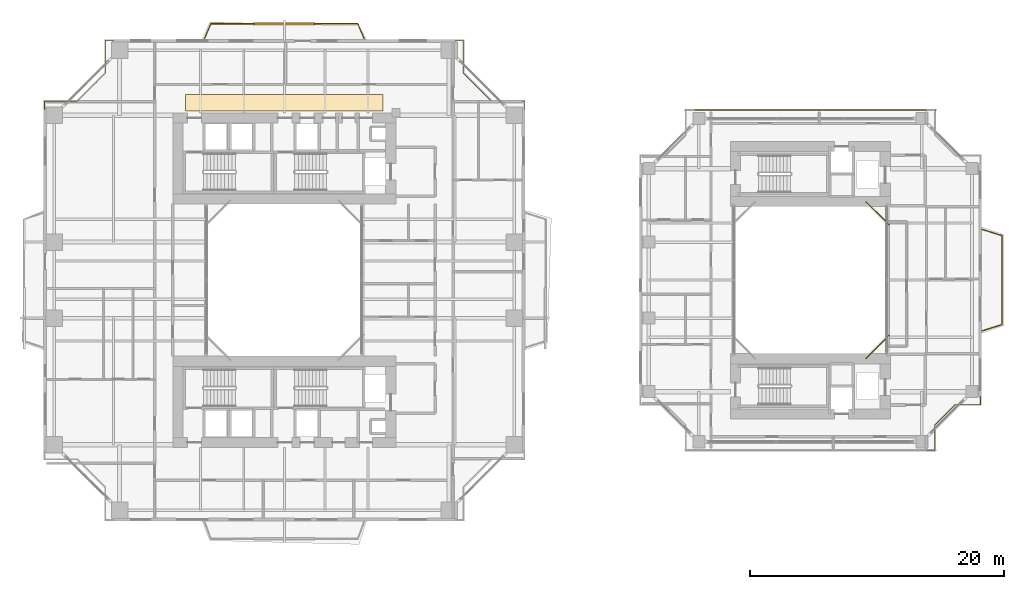
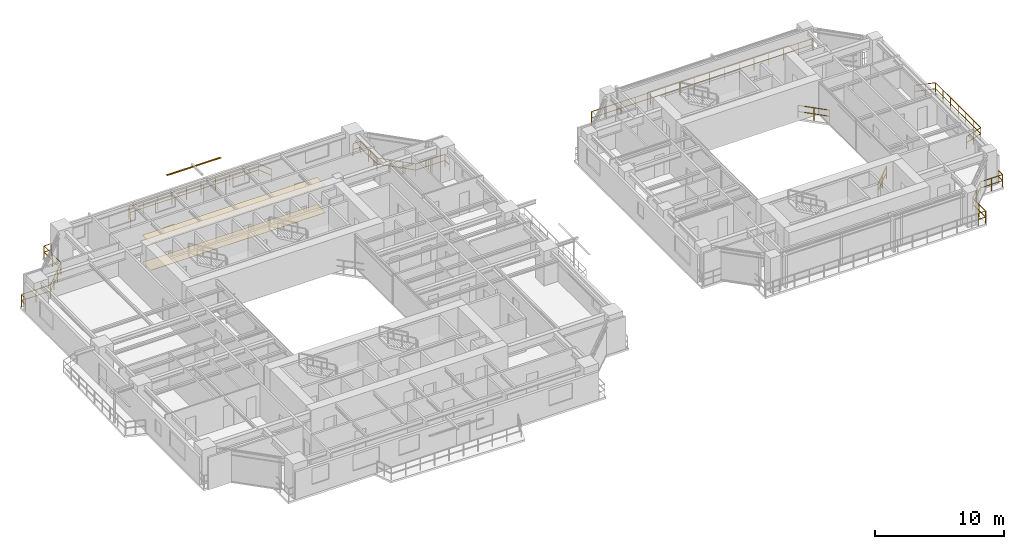
# One storey, part 22 of 23: 8 railings, 2 coverings, 1 shading device.
"""IFC4 building model written with IfcOpenShell, lengths in metres."""

from ifc_helpers import new_model, si_unit, direction, frame, origin, origin_2d, place, context, subcontext, project, spatial, polyline, rectangle, outline, extrude, source, transform, mapped, material, layer, layer_set, material_profile, profile_set, type_object, element, save


model = new_model("IFC4")

# Units and contexts
model_context = context("Model", 3, precision=1e-05, world=origin(), true_north=direction((0.0, 1.0)))
body_context = subcontext(model_context, "Body", "Model", "MODEL_VIEW")
ifc_project = project(units=[si_unit("LENGTHUNIT", "METRE"), si_unit("AREAUNIT", "SQUARE_METRE"), si_unit("VOLUMEUNIT", "CUBIC_METRE"), si_unit("PLANEANGLEUNIT", "RADIAN"), si_unit("MASSUNIT", "GRAM", prefix="KILO"), si_unit("THERMODYNAMICTEMPERATUREUNIT", "KELVIN"), si_unit("POWERUNIT", "WATT")], contexts=[model_context])

# Site, building, storey
site_placement = place(None, origin())
site = spatial("IfcSite", under=ifc_project, at=site_placement, CompositionType="ELEMENT")
building_placement = place(site_placement, origin())
building = spatial("IfcBuilding", under=site, at=building_placement, Name="Qiaomeng Ring Towers", CompositionType="ELEMENT")
storey_placement = place(building_placement, frame((0.0, 0.0, 29.5)))
storey = spatial("IfcBuildingStorey", under=building, at=storey_placement, Name="L07", CompositionType="ELEMENT", Elevation=29.5)

# Coverings
ifc_material_1 = material(Name="Moisture-resistant gypsum ceiling board", Category="gypsum")
ifc_layer_1 = layer(ifc_material_1, 0.030029296875, Name="Moisture-resistant gypsum ceiling board")
ifc_layer_set_1 = layer_set([ifc_layer_1], Name="Moisture-resistant gypsum ceiling board")
covering_type_1 = type_object("IfcCoveringType", Name="ARC-COV-CEIL2", PredefinedType="CEILING", material=ifc_layer_set_1)
covering_1_placement = place(storey_placement, frame((0.0, 0.0, 2.550048828125)))
element("IfcCovering", 1, at=covering_1_placement, inside=storey, type_object=covering_type_1, Name="L07 Corridor Acoustic Ceiling", PredefinedType="CEILING", context=body_context, shape_type="SweptSolid", body=[
    extrude(outline(polyline([(11.199951171875, 36.35009765625), (11.199951171875, 37.64990234375), (26.800048828125, 37.64990234375), (26.800048828125, 36.35009765625), (11.199951171875, 36.35009765625)])), origin(), (0.0, 0.0, 1.0), 0.02490234375),
])
ifc_material_2 = material(Name="Vitrified porcelain floor tile", Category="ceramic")
ifc_layer_2 = layer(ifc_material_2, 0.02001953125, Name="Vitrified porcelain floor tile")
ifc_layer_set_2 = layer_set([ifc_layer_2], Name="Vitrified porcelain floor tile")
covering_type_2 = type_object("IfcCoveringType", Name="ARC-COV-FLR1", PredefinedType="FLOORING", material=ifc_layer_set_2)
covering_2_placement = place(storey_placement, origin())
element("IfcCovering", 2, at=covering_2_placement, inside=storey, type_object=covering_type_2, Name="L07 Corridor Stone Flooring", PredefinedType="FLOORING", context=body_context, shape_type="SweptSolid", body=[
    extrude(outline(polyline([(11.199951171875, 36.35009765625), (11.199951171875, 37.64990234375), (26.800048828125, 37.64990234375), (26.800048828125, 36.35009765625), (11.199951171875, 36.35009765625)])), origin(), (0.0, 0.0, 1.0), 0.02001953125),
])

# Railings
ifc_material_3 = material(Name="Low-E pale-green laminated safety glass", Category="glass")
railing_type = type_object("IfcRailingType", Name="ARC-RL-BAL1", PredefinedType="BALUSTRADE", material=ifc_material_3)
railing_1_placement = place(storey_placement, frame((37.919921875, 36.469970703125, 0.0)))
element("IfcRailing", 3, at=railing_1_placement, inside=storey, type_object=railing_type, Name="L07 Balustrade ARC-BAL-NOTCH1-L07-NE", PredefinedType="BALUSTRADE", context=body_context, shape_type="SweptSolid", body=[
    extrude(rectangle(XDim=0.048095703125, YDim=0.048095703125, at=origin_2d()), frame((0.0, 0.0, 1.17578125), z_axis=(0.0, 1.0, 0.0), x_axis=(-1.0, 0.0, 0.0)), (0.0, 0.0, 1.0), 0.650146484375),
    extrude(rectangle(XDim=0.048095703125, YDim=0.048095703125, at=origin_2d()), frame((0.0, 0.0, 0.60009765625), z_axis=(0.0, 1.0, 0.0), x_axis=(-1.0, 0.0, 0.0)), (0.0, 0.0, 1.0), 0.650146484375),
    extrude(rectangle(XDim=0.048095703125, YDim=0.048095703125, at=origin_2d()), frame((0.0, 0.650146484375, 1.17578125), z_axis=(-1.0, 0.0, 0.0), x_axis=(0.0, -1.0, 0.0)), (0.0, 0.0, 1.0), 2.599853515625),
    extrude(rectangle(XDim=0.048095703125, YDim=0.048095703125, at=origin_2d()), frame((0.0, 0.650146484375, 0.60009765625), z_axis=(-1.0, 0.0, 0.0), x_axis=(0.0, -1.0, 0.0)), (0.0, 0.0, 1.0), 2.599853515625),
    extrude(rectangle(XDim=0.048095703125, YDim=0.048095703125, at=origin_2d()), frame((-2.599853515625, 0.650146484375, 1.17578125), z_axis=(-0.707106781187, 0.707106781187, 0.0), x_axis=(-0.707106781187, -0.707106781187, 0.0)), (0.0, 0.0, 1.0), 3.111083984375),
    extrude(rectangle(XDim=0.048095703125, YDim=0.048095703125, at=origin_2d()), frame((-2.599853515625, 0.650146484375, 0.60009765625), z_axis=(-0.707106781187, 0.707106781187, 0.0), x_axis=(-0.707106781187, -0.707106781187, 0.0)), (0.0, 0.0, 1.0), 3.111083984375),
    extrude(rectangle(XDim=0.048095703125, YDim=0.048095703125, at=origin_2d()), frame((-4.7998046875, 2.85009765625, 1.17578125), z_axis=(0.0, 1.0, 0.0), x_axis=(-1.0, 0.0, 0.0)), (0.0, 0.0, 1.0), 2.599853515625),
    extrude(rectangle(XDim=0.048095703125, YDim=0.048095703125, at=origin_2d()), frame((-4.7998046875, 2.85009765625, 0.60009765625), z_axis=(0.0, 1.0, 0.0), x_axis=(-1.0, 0.0, 0.0)), (0.0, 0.0, 1.0), 2.599853515625),
    extrude(rectangle(XDim=0.048095703125, YDim=0.048095703125, at=origin_2d()), frame((-4.7998046875, 5.449951171875, 1.17578125), z_axis=(-1.0, 0.0, 0.0), x_axis=(0.0, -1.0, 0.0)), (0.0, 0.0, 1.0), 0.650146484375),
    extrude(rectangle(XDim=0.048095703125, YDim=0.048095703125, at=origin_2d()), frame((-4.7998046875, 5.449951171875, 0.60009765625), z_axis=(-1.0, 0.0, 0.0), x_axis=(0.0, -1.0, 0.0)), (0.0, 0.0, 1.0), 0.650146484375),
    extrude(rectangle(XDim=0.0419921875, YDim=0.0419921875, at=origin_2d()), origin(), (0.0, 0.0, 1.0), 1.15185546875),
    extrude(rectangle(XDim=0.0419921875, YDim=0.0419921875, at=origin_2d()), frame((0.0, 0.650146484375, 0.0)), (0.0, 0.0, 1.0), 1.15185546875),
    extrude(rectangle(XDim=0.0419921875, YDim=0.0419921875, at=origin_2d()), frame((-1.2998046875, 0.650146484375, 0.0)), (0.0, 0.0, 1.0), 1.15185546875),
    extrude(rectangle(XDim=0.0419921875, YDim=0.0419921875, at=origin_2d()), frame((-2.599853515625, 0.650146484375, 0.0)), (0.0, 0.0, 1.0), 1.15185546875),
    extrude(rectangle(XDim=0.0419921875, YDim=0.0419921875, at=origin_2d()), frame((-3.333251953125, 1.383544921875, 0.0)), (0.0, 0.0, 1.0), 1.15185546875),
    extrude(rectangle(XDim=0.0419921875, YDim=0.0419921875, at=origin_2d()), frame((-4.06640625, 2.11669921875, 0.0)), (0.0, 0.0, 1.0), 1.15185546875),
    extrude(rectangle(XDim=0.0419921875, YDim=0.0419921875, at=origin_2d()), frame((-4.7998046875, 2.85009765625, 0.0)), (0.0, 0.0, 1.0), 1.15185546875),
    extrude(rectangle(XDim=0.0419921875, YDim=0.0419921875, at=origin_2d()), frame((-4.7998046875, 4.14990234375, 0.0)), (0.0, 0.0, 1.0), 1.15185546875),
    extrude(rectangle(XDim=0.0419921875, YDim=0.0419921875, at=origin_2d()), frame((-4.7998046875, 5.449951171875, 0.0)), (0.0, 0.0, 1.0), 1.15185546875),
    extrude(rectangle(XDim=0.0419921875, YDim=0.0419921875, at=origin_2d()), frame((-5.449951171875, 5.449951171875, 0.0)), (0.0, 0.0, 1.0), 1.15185546875),
])
railing_2_placement = place(storey_placement, frame((5.530029296875, 41.919921875, 0.0)))
element("IfcRailing", 4, at=railing_2_placement, inside=storey, type_object=railing_type, Name="L07 Balustrade ARC-BAL-NOTCH1-L07-NW", PredefinedType="BALUSTRADE", context=body_context, shape_type="SweptSolid", body=[
    extrude(rectangle(XDim=0.048095703125, YDim=0.048095703125, at=origin_2d()), frame((0.0, 0.0, 1.17578125), z_axis=(-1.0, 0.0, 0.0), x_axis=(0.0, -1.0, 0.0)), (0.0, 0.0, 1.0), 0.650146484375),
    extrude(rectangle(XDim=0.048095703125, YDim=0.048095703125, at=origin_2d()), frame((0.0, 0.0, 0.60009765625), z_axis=(-1.0, 0.0, 0.0), x_axis=(0.0, -1.0, 0.0)), (0.0, 0.0, 1.0), 0.650146484375),
    extrude(rectangle(XDim=0.048095703125, YDim=0.048095703125, at=origin_2d()), frame((-0.650146484375, 0.0, 1.17578125), z_axis=(0.0, -1.0, 0.0), x_axis=(1.0, 0.0, 0.0)), (0.0, 0.0, 1.0), 2.599853515625),
    extrude(rectangle(XDim=0.048095703125, YDim=0.048095703125, at=origin_2d()), frame((-0.650146484375, 0.0, 0.60009765625), z_axis=(0.0, -1.0, 0.0), x_axis=(1.0, 0.0, 0.0)), (0.0, 0.0, 1.0), 2.599853515625),
    extrude(rectangle(XDim=0.048095703125, YDim=0.048095703125, at=origin_2d()), frame((-0.650146484375, -2.599853515625, 1.17578125), z_axis=(-0.707106781187, -0.707106781187, 0.0), x_axis=(0.707106781187, -0.707106781187, 0.0)), (0.0, 0.0, 1.0), 3.111083984375),
    extrude(rectangle(XDim=0.048095703125, YDim=0.048095703125, at=origin_2d()), frame((-0.650146484375, -2.599853515625, 0.60009765625), z_axis=(-0.707106781187, -0.707106781187, 0.0), x_axis=(0.707106781187, -0.707106781187, 0.0)), (0.0, 0.0, 1.0), 3.111083984375),
    extrude(rectangle(XDim=0.048095703125, YDim=0.048095703125, at=origin_2d()), frame((-2.85009765625, -4.7998046875, 1.17578125), z_axis=(-1.0, 0.0, 0.0), x_axis=(0.0, -1.0, 0.0)), (0.0, 0.0, 1.0), 2.599853515625),
    extrude(rectangle(XDim=0.048095703125, YDim=0.048095703125, at=origin_2d()), frame((-2.85009765625, -4.7998046875, 0.60009765625), z_axis=(-1.0, 0.0, 0.0), x_axis=(0.0, -1.0, 0.0)), (0.0, 0.0, 1.0), 2.599853515625),
    extrude(rectangle(XDim=0.048095703125, YDim=0.048095703125, at=origin_2d()), frame((-5.449951171875, -4.7998046875, 1.17578125), z_axis=(0.0, -1.0, 0.0), x_axis=(1.0, 0.0, 0.0)), (0.0, 0.0, 1.0), 0.650146484375),
    extrude(rectangle(XDim=0.048095703125, YDim=0.048095703125, at=origin_2d()), frame((-5.449951171875, -4.7998046875, 0.60009765625), z_axis=(0.0, -1.0, 0.0), x_axis=(1.0, 0.0, 0.0)), (0.0, 0.0, 1.0), 0.650146484375),
    extrude(rectangle(XDim=0.0419921875, YDim=0.0419921875, at=origin_2d()), origin(), (0.0, 0.0, 1.0), 1.15185546875),
    extrude(rectangle(XDim=0.0419921875, YDim=0.0419921875, at=origin_2d()), frame((-0.650146484375, 0.0, 0.0)), (0.0, 0.0, 1.0), 1.15185546875),
    extrude(rectangle(XDim=0.0419921875, YDim=0.0419921875, at=origin_2d()), frame((-0.650146484375, -1.2998046875, 0.0)), (0.0, 0.0, 1.0), 1.15185546875),
    extrude(rectangle(XDim=0.0419921875, YDim=0.0419921875, at=origin_2d()), frame((-0.650146484375, -2.599853515625, 0.0)), (0.0, 0.0, 1.0), 1.15185546875),
    extrude(rectangle(XDim=0.0419921875, YDim=0.0419921875, at=origin_2d()), frame((-1.383544921875, -3.333251953125, 0.0)), (0.0, 0.0, 1.0), 1.15185546875),
    extrude(rectangle(XDim=0.0419921875, YDim=0.0419921875, at=origin_2d()), frame((-2.11669921875, -4.06640625, 0.0)), (0.0, 0.0, 1.0), 1.15185546875),
    extrude(rectangle(XDim=0.0419921875, YDim=0.0419921875, at=origin_2d()), frame((-2.85009765625, -4.7998046875, 0.0)), (0.0, 0.0, 1.0), 1.15185546875),
    extrude(rectangle(XDim=0.0419921875, YDim=0.0419921875, at=origin_2d()), frame((-4.14990234375, -4.7998046875, 0.0)), (0.0, 0.0, 1.0), 1.15185546875),
    extrude(rectangle(XDim=0.0419921875, YDim=0.0419921875, at=origin_2d()), frame((-5.449951171875, -4.7998046875, 0.0)), (0.0, 0.0, 1.0), 1.15185546875),
    extrude(rectangle(XDim=0.0419921875, YDim=0.0419921875, at=origin_2d()), frame((-5.449951171875, -5.449951171875, 0.0)), (0.0, 0.0, 1.0), 1.15185546875),
])
railing_3_placement = place(storey_placement, frame((12.699951171875, 42.050048828125, 0.0)))
element("IfcRailing", 5, at=railing_3_placement, inside=storey, type_object=railing_type, Name="L07 Balustrade ARC-BAL-L07-T1-N", PredefinedType="BALUSTRADE", context=body_context, shape_type="SweptSolid", body=[
    extrude(rectangle(XDim=0.048095703125, YDim=0.048095703125, at=origin_2d()), frame((0.0, 0.0, 1.17578125), z_axis=(0.39299272826, 0.919541579014, 0.0), x_axis=(-0.919541579014, 0.39299272826, 0.0)), (0.0, 0.0, 1.0), 1.272216796875),
    extrude(rectangle(XDim=0.048095703125, YDim=0.048095703125, at=origin_2d()), frame((0.0, 0.0, 0.60009765625), z_axis=(0.39299272826, 0.919541579014, 0.0), x_axis=(-0.919541579014, 0.39299272826, 0.0)), (0.0, 0.0, 1.0), 1.272216796875),
    extrude(rectangle(XDim=0.048095703125, YDim=0.048095703125, at=origin_2d()), frame((0.5, 1.169921875, 1.17578125), z_axis=(1.0, 0.0, 0.0), x_axis=(0.0, 1.0, 0.0)), (0.0, 0.0, 1.0), 11.60009765625),
    extrude(rectangle(XDim=0.048095703125, YDim=0.048095703125, at=origin_2d()), frame((0.5, 1.169921875, 0.60009765625), z_axis=(1.0, 0.0, 0.0), x_axis=(0.0, 1.0, 0.0)), (0.0, 0.0, 1.0), 11.60009765625),
    extrude(rectangle(XDim=0.048095703125, YDim=0.048095703125, at=origin_2d()), frame((12.10009765625, 1.169921875, 1.17578125), z_axis=(0.39299272826, -0.919541579014, 0.0), x_axis=(0.919541579014, 0.39299272826, 0.0)), (0.0, 0.0, 1.0), 1.272216796875),
    extrude(rectangle(XDim=0.048095703125, YDim=0.048095703125, at=origin_2d()), frame((12.10009765625, 1.169921875, 0.60009765625), z_axis=(0.39299272826, -0.919541579014, 0.0), x_axis=(0.919541579014, 0.39299272826, 0.0)), (0.0, 0.0, 1.0), 1.272216796875),
    extrude(rectangle(XDim=0.0419921875, YDim=0.0419921875, at=origin_2d()), origin(), (0.0, 0.0, 1.0), 1.15185546875),
    extrude(rectangle(XDim=0.0419921875, YDim=0.0419921875, at=origin_2d()), frame((0.5, 1.169921875, 0.0)), (0.0, 0.0, 1.0), 1.15185546875),
    extrude(rectangle(XDim=0.0419921875, YDim=0.0419921875, at=origin_2d()), frame((1.788818359375, 1.169921875, 0.0)), (0.0, 0.0, 1.0), 1.15185546875),
    extrude(rectangle(XDim=0.0419921875, YDim=0.0419921875, at=origin_2d()), frame((3.077880859375, 1.169921875, 0.0)), (0.0, 0.0, 1.0), 1.15185546875),
    extrude(rectangle(XDim=0.0419921875, YDim=0.0419921875, at=origin_2d()), frame((4.36669921875, 1.169921875, 0.0)), (0.0, 0.0, 1.0), 1.15185546875),
    extrude(rectangle(XDim=0.0419921875, YDim=0.0419921875, at=origin_2d()), frame((5.655517578125, 1.169921875, 0.0)), (0.0, 0.0, 1.0), 1.15185546875),
    extrude(rectangle(XDim=0.0419921875, YDim=0.0419921875, at=origin_2d()), frame((6.944580078125, 1.169921875, 0.0)), (0.0, 0.0, 1.0), 1.15185546875),
    extrude(rectangle(XDim=0.0419921875, YDim=0.0419921875, at=origin_2d()), frame((8.2333984375, 1.169921875, 0.0)), (0.0, 0.0, 1.0), 1.15185546875),
    extrude(rectangle(XDim=0.0419921875, YDim=0.0419921875, at=origin_2d()), frame((9.522216796875, 1.169921875, 0.0)), (0.0, 0.0, 1.0), 1.15185546875),
    extrude(rectangle(XDim=0.0419921875, YDim=0.0419921875, at=origin_2d()), frame((10.811279296875, 1.169921875, 0.0)), (0.0, 0.0, 1.0), 1.15185546875),
    extrude(rectangle(XDim=0.0419921875, YDim=0.0419921875, at=origin_2d()), frame((12.10009765625, 1.169921875, 0.0)), (0.0, 0.0, 1.0), 1.15185546875),
    extrude(rectangle(XDim=0.0419921875, YDim=0.0419921875, at=origin_2d()), frame((12.60009765625, 0.0, 0.0)), (0.0, 0.0, 1.0), 1.15185546875),
])
railing_4_placement = place(storey_placement, frame((64.8798828125, 16.820068359375, 0.0)))
element("IfcRailing", 6, at=railing_4_placement, inside=storey, type_object=railing_type, Name="L07 Balustrade ARC-BAL-WELL2-L07-1", PredefinedType="BALUSTRADE", context=body_context, shape_type="SweptSolid", body=[
    extrude(rectangle(XDim=0.048095703125, YDim=0.048095703125, at=origin_2d()), frame((0.0, 0.0, 1.17578125), z_axis=(0.707106781187, 0.707106781187, 0.0), x_axis=(-0.707106781187, 0.707106781187, 0.0)), (0.0, 0.0, 1.0), 2.545654296875),
    extrude(rectangle(XDim=0.048095703125, YDim=0.048095703125, at=origin_2d()), frame((0.0, 0.0, 0.60009765625), z_axis=(0.707106781187, 0.707106781187, 0.0), x_axis=(-0.707106781187, 0.707106781187, 0.0)), (0.0, 0.0, 1.0), 2.545654296875),
    extrude(rectangle(XDim=0.0419921875, YDim=0.0419921875, at=origin_2d()), origin(), (0.0, 0.0, 1.0), 1.15185546875),
    extrude(rectangle(XDim=0.0419921875, YDim=0.0419921875, at=origin_2d()), frame((0.89990234375, 0.89990234375, 0.0)), (0.0, 0.0, 1.0), 1.15185546875),
    extrude(rectangle(XDim=0.0419921875, YDim=0.0419921875, at=origin_2d()), frame((1.800048828125, 1.800048828125, 0.0)), (0.0, 0.0, 1.0), 1.15185546875),
])
railing_5_placement = place(storey_placement, frame((66.679931640625, 27.3798828125, 0.0)))
element("IfcRailing", 7, at=railing_5_placement, inside=storey, type_object=railing_type, Name="L07 Balustrade ARC-BAL-WELL2-L07-2", PredefinedType="BALUSTRADE", context=body_context, shape_type="SweptSolid", body=[
    extrude(rectangle(XDim=0.048095703125, YDim=0.048095703125, at=origin_2d()), frame((0.0, 0.0, 1.17578125), z_axis=(-0.707106781187, 0.707106781187, 0.0), x_axis=(-0.707106781187, -0.707106781187, 0.0)), (0.0, 0.0, 1.0), 2.545654296875),
    extrude(rectangle(XDim=0.048095703125, YDim=0.048095703125, at=origin_2d()), frame((0.0, 0.0, 0.60009765625), z_axis=(-0.707106781187, 0.707106781187, 0.0), x_axis=(-0.707106781187, -0.707106781187, 0.0)), (0.0, 0.0, 1.0), 2.545654296875),
    extrude(rectangle(XDim=0.0419921875, YDim=0.0419921875, at=origin_2d()), origin(), (0.0, 0.0, 1.0), 1.15185546875),
    extrude(rectangle(XDim=0.0419921875, YDim=0.0419921875, at=origin_2d()), frame((-0.89990234375, 0.89990234375, 0.0)), (0.0, 0.0, 1.0), 1.15185546875),
    extrude(rectangle(XDim=0.0419921875, YDim=0.0419921875, at=origin_2d()), frame((-1.800048828125, 1.800048828125, 0.0)), (0.0, 0.0, 1.0), 1.15185546875),
])
railing_6_placement = place(storey_placement, frame((69.669921875, 9.580078125, 0.0)))
element("IfcRailing", 8, at=railing_6_placement, inside=storey, type_object=railing_type, Name="L07 Balustrade ARC-BAL-NOTCH2-L07-SE", PredefinedType="BALUSTRADE", context=body_context, shape_type="SweptSolid", body=[
    extrude(rectangle(XDim=0.048095703125, YDim=0.048095703125, at=origin_2d()), frame((0.0, 0.0, 1.17578125), z_axis=(1.0, 0.0, 0.0), x_axis=(0.0, 1.0, 0.0)), (0.0, 0.0, 1.0), 0.650146484375),
    extrude(rectangle(XDim=0.048095703125, YDim=0.048095703125, at=origin_2d()), frame((0.0, 0.0, 0.60009765625), z_axis=(1.0, 0.0, 0.0), x_axis=(0.0, 1.0, 0.0)), (0.0, 0.0, 1.0), 0.650146484375),
    extrude(rectangle(XDim=0.048095703125, YDim=0.048095703125, at=origin_2d()), frame((0.650146484375, 0.0, 1.17578125), z_axis=(0.0, 1.0, 0.0), x_axis=(-1.0, 0.0, 0.0)), (0.0, 0.0, 1.0), 2.0),
    extrude(rectangle(XDim=0.048095703125, YDim=0.048095703125, at=origin_2d()), frame((0.650146484375, 0.0, 0.60009765625), z_axis=(0.0, 1.0, 0.0), x_axis=(-1.0, 0.0, 0.0)), (0.0, 0.0, 1.0), 2.0),
    extrude(rectangle(XDim=0.048095703125, YDim=0.048095703125, at=origin_2d()), frame((0.650146484375, 2.0, 1.17578125), z_axis=(0.707106781187, 0.707106781187, 0.0), x_axis=(-0.707106781187, 0.707106781187, 0.0)), (0.0, 0.0, 1.0), 2.262451171875),
    extrude(rectangle(XDim=0.048095703125, YDim=0.048095703125, at=origin_2d()), frame((0.650146484375, 2.0, 0.60009765625), z_axis=(0.707106781187, 0.707106781187, 0.0), x_axis=(-0.707106781187, 0.707106781187, 0.0)), (0.0, 0.0, 1.0), 2.262451171875),
    extrude(rectangle(XDim=0.048095703125, YDim=0.048095703125, at=origin_2d()), frame((2.25, 3.599853515625, 1.17578125), z_axis=(1.0, 0.0, 0.0), x_axis=(0.0, 1.0, 0.0)), (0.0, 0.0, 1.0), 2.0),
    extrude(rectangle(XDim=0.048095703125, YDim=0.048095703125, at=origin_2d()), frame((2.25, 3.599853515625, 0.60009765625), z_axis=(1.0, 0.0, 0.0), x_axis=(0.0, 1.0, 0.0)), (0.0, 0.0, 1.0), 2.0),
    extrude(rectangle(XDim=0.048095703125, YDim=0.048095703125, at=origin_2d()), frame((4.25, 3.599853515625, 1.17578125), z_axis=(0.0, 1.0, 0.0), x_axis=(-1.0, 0.0, 0.0)), (0.0, 0.0, 1.0), 0.650146484375),
    extrude(rectangle(XDim=0.048095703125, YDim=0.048095703125, at=origin_2d()), frame((4.25, 3.599853515625, 0.60009765625), z_axis=(0.0, 1.0, 0.0), x_axis=(-1.0, 0.0, 0.0)), (0.0, 0.0, 1.0), 0.650146484375),
    extrude(rectangle(XDim=0.0419921875, YDim=0.0419921875, at=origin_2d()), origin(), (0.0, 0.0, 1.0), 1.15185546875),
    extrude(rectangle(XDim=0.0419921875, YDim=0.0419921875, at=origin_2d()), frame((0.650146484375, 0.0, 0.0)), (0.0, 0.0, 1.0), 1.15185546875),
    extrude(rectangle(XDim=0.0419921875, YDim=0.0419921875, at=origin_2d()), frame((0.650146484375, 1.0, 0.0)), (0.0, 0.0, 1.0), 1.15185546875),
    extrude(rectangle(XDim=0.0419921875, YDim=0.0419921875, at=origin_2d()), frame((0.650146484375, 2.0, 0.0)), (0.0, 0.0, 1.0), 1.15185546875),
    extrude(rectangle(XDim=0.0419921875, YDim=0.0419921875, at=origin_2d()), frame((1.4501953125, 2.7998046875, 0.0)), (0.0, 0.0, 1.0), 1.15185546875),
    extrude(rectangle(XDim=0.0419921875, YDim=0.0419921875, at=origin_2d()), frame((2.25, 3.599853515625, 0.0)), (0.0, 0.0, 1.0), 1.15185546875),
    extrude(rectangle(XDim=0.0419921875, YDim=0.0419921875, at=origin_2d()), frame((3.25, 3.599853515625, 0.0)), (0.0, 0.0, 1.0), 1.15185546875),
    extrude(rectangle(XDim=0.0419921875, YDim=0.0419921875, at=origin_2d()), frame((4.25, 3.599853515625, 0.0)), (0.0, 0.0, 1.0), 1.15185546875),
    extrude(rectangle(XDim=0.0419921875, YDim=0.0419921875, at=origin_2d()), frame((4.25, 4.25, 0.0)), (0.0, 0.0, 1.0), 1.15185546875),
])
railing_7_placement = place(storey_placement, frame((50.60009765625, 36.419921875, 0.0)))
element("IfcRailing", 9, at=railing_7_placement, inside=storey, type_object=railing_type, Name="L07 Balustrade ARC-BAL-T2N-L07", PredefinedType="BALUSTRADE", context=body_context, shape_type="SweptSolid", body=[
    extrude(rectangle(XDim=0.048095703125, YDim=0.048095703125, at=origin_2d()), frame((0.0, 0.0, 1.17578125), z_axis=(1.0, 0.0, 0.0), x_axis=(0.0, 1.0, 0.0)), (0.0, 0.0, 1.0), 19.7998046875),
    extrude(rectangle(XDim=0.048095703125, YDim=0.048095703125, at=origin_2d()), frame((0.0, 0.0, 0.60009765625), z_axis=(1.0, 0.0, 0.0), x_axis=(0.0, 1.0, 0.0)), (0.0, 0.0, 1.0), 19.7998046875),
    extrude(rectangle(XDim=0.0419921875, YDim=0.0419921875, at=origin_2d()), origin(), (0.0, 0.0, 1.0), 1.15185546875),
    extrude(rectangle(XDim=0.0419921875, YDim=0.0419921875, at=origin_2d()), frame((1.320068359375, 0.0, 0.0)), (0.0, 0.0, 1.0), 1.15185546875),
    extrude(rectangle(XDim=0.0419921875, YDim=0.0419921875, at=origin_2d()), frame((2.639892578125, 0.0, 0.0)), (0.0, 0.0, 1.0), 1.15185546875),
    extrude(rectangle(XDim=0.0419921875, YDim=0.0419921875, at=origin_2d()), frame((3.9599609375, 0.0, 0.0)), (0.0, 0.0, 1.0), 1.15185546875),
    extrude(rectangle(XDim=0.0419921875, YDim=0.0419921875, at=origin_2d()), frame((5.280029296875, 0.0, 0.0)), (0.0, 0.0, 1.0), 1.15185546875),
    extrude(rectangle(XDim=0.0419921875, YDim=0.0419921875, at=origin_2d()), frame((6.599853515625, 0.0, 0.0)), (0.0, 0.0, 1.0), 1.15185546875),
    extrude(rectangle(XDim=0.0419921875, YDim=0.0419921875, at=origin_2d()), frame((7.919921875, 0.0, 0.0)), (0.0, 0.0, 1.0), 1.15185546875),
    extrude(rectangle(XDim=0.0419921875, YDim=0.0419921875, at=origin_2d()), frame((9.239990234375, 0.0, 0.0)), (0.0, 0.0, 1.0), 1.15185546875),
    extrude(rectangle(XDim=0.0419921875, YDim=0.0419921875, at=origin_2d()), frame((10.559814453125, 0.0, 0.0)), (0.0, 0.0, 1.0), 1.15185546875),
    extrude(rectangle(XDim=0.0419921875, YDim=0.0419921875, at=origin_2d()), frame((11.8798828125, 0.0, 0.0)), (0.0, 0.0, 1.0), 1.15185546875),
    extrude(rectangle(XDim=0.0419921875, YDim=0.0419921875, at=origin_2d()), frame((13.199951171875, 0.0, 0.0)), (0.0, 0.0, 1.0), 1.15185546875),
    extrude(rectangle(XDim=0.0419921875, YDim=0.0419921875, at=origin_2d()), frame((14.519775390625, 0.0, 0.0)), (0.0, 0.0, 1.0), 1.15185546875),
    extrude(rectangle(XDim=0.0419921875, YDim=0.0419921875, at=origin_2d()), frame((15.83984375, 0.0, 0.0)), (0.0, 0.0, 1.0), 1.15185546875),
    extrude(rectangle(XDim=0.0419921875, YDim=0.0419921875, at=origin_2d()), frame((17.159912109375, 0.0, 0.0)), (0.0, 0.0, 1.0), 1.15185546875),
    extrude(rectangle(XDim=0.0419921875, YDim=0.0419921875, at=origin_2d()), frame((18.479736328125, 0.0, 0.0)), (0.0, 0.0, 1.0), 1.15185546875),
    extrude(rectangle(XDim=0.0419921875, YDim=0.0419921875, at=origin_2d()), frame((19.7998046875, 0.0, 0.0)), (0.0, 0.0, 1.0), 1.15185546875),
])
railing_8_placement = place(storey_placement, frame((74.050048828125, 19.0, 0.0)))
element("IfcRailing", 10, at=railing_8_placement, inside=storey, type_object=railing_type, Name="L07 Balustrade ARC-BAL-L07-T2-E", PredefinedType="BALUSTRADE", context=body_context, shape_type="SweptSolid", body=[
    extrude(rectangle(XDim=0.048095703125, YDim=0.048095703125, at=origin_2d()), frame((0.0, 0.0, 1.17578125), z_axis=(0.952849860715, 0.303442157479, 0.0), x_axis=(-0.303442157479, 0.952849860715, 0.0)), (0.0, 0.0, 1.0), 1.647705078125),
    extrude(rectangle(XDim=0.048095703125, YDim=0.048095703125, at=origin_2d()), frame((0.0, 0.0, 0.60009765625), z_axis=(0.952849860715, 0.303442157479, 0.0), x_axis=(-0.303442157479, 0.952849860715, 0.0)), (0.0, 0.0, 1.0), 1.647705078125),
    extrude(rectangle(XDim=0.048095703125, YDim=0.048095703125, at=origin_2d()), frame((1.570068359375, 0.5, 1.17578125), z_axis=(0.0, 1.0, 0.0), x_axis=(-1.0, 0.0, 0.0)), (0.0, 0.0, 1.0), 7.0),
    extrude(rectangle(XDim=0.048095703125, YDim=0.048095703125, at=origin_2d()), frame((1.570068359375, 0.5, 0.60009765625), z_axis=(0.0, 1.0, 0.0), x_axis=(-1.0, 0.0, 0.0)), (0.0, 0.0, 1.0), 7.0),
    extrude(rectangle(XDim=0.048095703125, YDim=0.048095703125, at=origin_2d()), frame((1.570068359375, 7.5, 1.17578125), z_axis=(-0.952849860715, 0.303442157479, 0.0), x_axis=(-0.303442157479, -0.952849860715, 0.0)), (0.0, 0.0, 1.0), 1.647705078125),
    extrude(rectangle(XDim=0.048095703125, YDim=0.048095703125, at=origin_2d()), frame((1.570068359375, 7.5, 0.60009765625), z_axis=(-0.952849860715, 0.303442157479, 0.0), x_axis=(-0.303442157479, -0.952849860715, 0.0)), (0.0, 0.0, 1.0), 1.647705078125),
    extrude(rectangle(XDim=0.0419921875, YDim=0.0419921875, at=origin_2d()), origin(), (0.0, 0.0, 1.0), 1.15185546875),
    extrude(rectangle(XDim=0.0419921875, YDim=0.0419921875, at=origin_2d()), frame((0.78515625, 0.25, 0.0)), (0.0, 0.0, 1.0), 1.15185546875),
    extrude(rectangle(XDim=0.0419921875, YDim=0.0419921875, at=origin_2d()), frame((1.570068359375, 0.5, 0.0)), (0.0, 0.0, 1.0), 1.15185546875),
    extrude(rectangle(XDim=0.0419921875, YDim=0.0419921875, at=origin_2d()), frame((1.570068359375, 1.666748046875, 0.0)), (0.0, 0.0, 1.0), 1.15185546875),
    extrude(rectangle(XDim=0.0419921875, YDim=0.0419921875, at=origin_2d()), frame((1.570068359375, 2.833251953125, 0.0)), (0.0, 0.0, 1.0), 1.15185546875),
    extrude(rectangle(XDim=0.0419921875, YDim=0.0419921875, at=origin_2d()), frame((1.570068359375, 4.0, 0.0)), (0.0, 0.0, 1.0), 1.15185546875),
    extrude(rectangle(XDim=0.0419921875, YDim=0.0419921875, at=origin_2d()), frame((1.570068359375, 5.166748046875, 0.0)), (0.0, 0.0, 1.0), 1.15185546875),
    extrude(rectangle(XDim=0.0419921875, YDim=0.0419921875, at=origin_2d()), frame((1.570068359375, 6.333251953125, 0.0)), (0.0, 0.0, 1.0), 1.15185546875),
    extrude(rectangle(XDim=0.0419921875, YDim=0.0419921875, at=origin_2d()), frame((1.570068359375, 7.5, 0.0)), (0.0, 0.0, 1.0), 1.15185546875),
    extrude(rectangle(XDim=0.0419921875, YDim=0.0419921875, at=origin_2d()), frame((0.78515625, 7.75, 0.0)), (0.0, 0.0, 1.0), 1.15185546875),
    extrude(rectangle(XDim=0.0419921875, YDim=0.0419921875, at=origin_2d()), frame((0.0, 8.0, 0.0)), (0.0, 0.0, 1.0), 1.15185546875),
])

# Shading device
ifc_material_4 = material(Name="Fluorocarbon dark-grey aluminium", Category="aluminium")
ifc_material_profile = material_profile(ifc_material_4, rectangle(XDim=0.14990234375, YDim=0.034912109375, at=origin_2d()), Name="LV BLADE 150x35")
ifc_profile_set = profile_set([ifc_material_profile], Name="Fluorocarbon dark-grey aluminium")
shading_device_type = type_object("IfcShadingDeviceType", Name="ARC-SHD-SUN", PredefinedType="AWNING", material=ifc_profile_set)
shared_shape = source(origin(), body_context, "Body", "SweptSolid", [
    extrude(rectangle(XDim=0.14990234375, YDim=0.034912109375, at=origin_2d()), origin(), (0.0, 0.0, 1.0), 4.7998046875),
])
shading_device_placement = place(storey_placement, frame((16.60009765625, 43.219970703125, 2.969970703125), z_axis=(1.0, 0.0, 0.0), x_axis=(0.0, 1.0, 0.0)))
element("IfcShadingDevice", 11, at=shading_device_placement, inside=storey, type_object=shading_device_type, Name="L07 Ventilated Outer-Skin Sunshade N", PredefinedType="AWNING", context=body_context, shape_type="MappedRepresentation", body=[
    mapped(shared_shape, transform((0.0, 0.0, 0.0), x_axis=(1.0, 0.0, 0.0), y_axis=(0.0, 1.0, 0.0), z_axis=(0.0, 0.0, 1.0), scale=1.0)),
])

save(model, "model.ifc")
